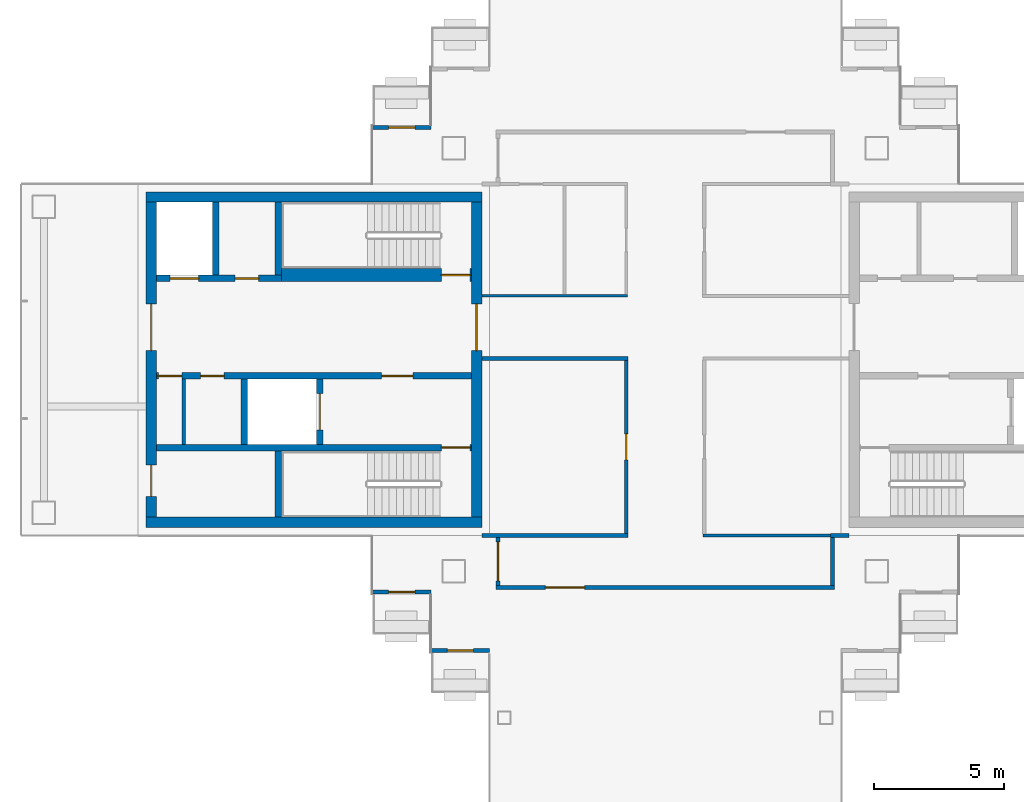
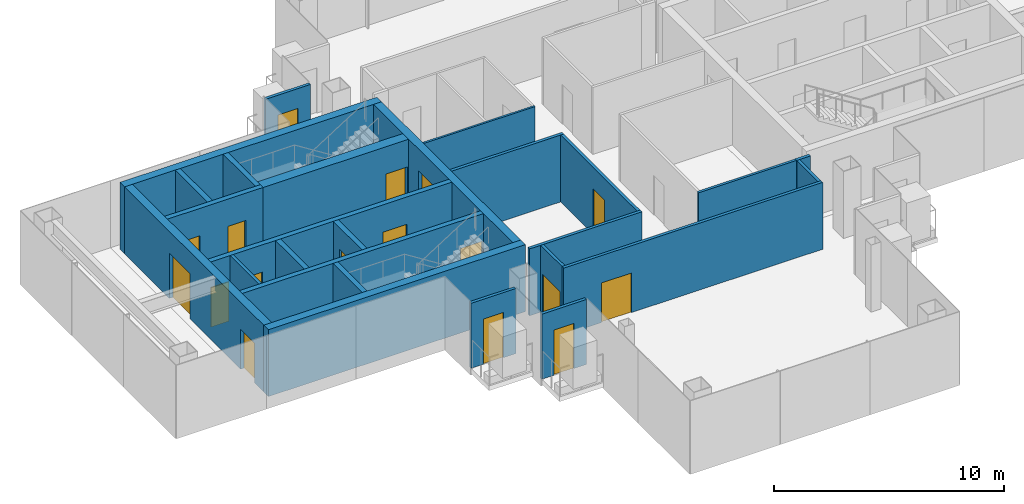
# One storey, part 9 of 17: 26 walls, 17 doors, 17 openings.
"""IFC4 building model written with IfcOpenShell, lengths in metres."""

from ifc_helpers import new_model, si_unit, direction, frame, frame_2d, origin, place, context, subcontext, project, spatial, rectangle, extrude, material, layer, layer_set, type_object, element, fill, save


model = new_model("IFC4")

# Units and contexts
model_context = context("Model", 3, precision=1e-05, world=origin(), true_north=direction((0.0, 1.0)))
body_context = subcontext(model_context, "Body", "Model", "MODEL_VIEW")
ifc_project = project(units=[si_unit("LENGTHUNIT", "METRE"), si_unit("AREAUNIT", "SQUARE_METRE"), si_unit("VOLUMEUNIT", "CUBIC_METRE"), si_unit("PLANEANGLEUNIT", "RADIAN"), si_unit("MASSUNIT", "GRAM", prefix="KILO")], contexts=[model_context])

# Site, building, storey
site_placement = place(None, origin())
site = spatial("IfcSite", under=ifc_project, at=site_placement, CompositionType="ELEMENT")
building_placement = place(site_placement, origin())
building = spatial("IfcBuilding", under=site, at=building_placement, Name="Shamsa Quay Exchange Towers", CompositionType="ELEMENT")
storey_placement = place(building_placement, frame((0.0, 0.0, 249.89990234375)))
storey = spatial("IfcBuildingStorey", under=building, at=storey_placement, Name="L60", CompositionType="ELEMENT", Elevation=249.89990234375)

# Wall, opening, door
ifc_material_1 = material(Name="Aluminium EN AW-6063 T6, black anodised, with black enamelled glass infill", Category="aluminium")
ifc_layer_1 = layer(ifc_material_1, 0.14990234375)
ifc_layer_set_1 = layer_set([ifc_layer_1], Name="BALCONY DOOR BAY WALL 150")
wall_type_1 = type_object("IfcWallType", Name="BALCONY DOOR BAY WALL 150", PredefinedType="SOLIDWALL", material=ifc_layer_set_1)
wall_1_placement = place(storey_placement, frame((-45.0, 8.925048828125, 0.0)))
wall_1 = element("IfcWall", 1, at=wall_1_placement, inside=storey, type_object=wall_type_1, Name="Door bay T1-PKWN L60", PredefinedType="SOLIDWALL", context=body_context, shape_type="SweptSolid", body=[
    extrude(rectangle(XDim=2.25, YDim=0.14990234375, at=frame_2d((1.125, 0.0))), origin(), (0.0, 0.0, 1.0), 3.4501953125),
])
opening_1_placement = place(wall_1_placement, frame((0.625, 0.0, 0.0)))
opening_1 = element("IfcOpeningElement", 2, at=opening_1_placement, cuts=wall_1, Name="Opening XD406", PredefinedType="OPENING", context=body_context, shape_type="SweptSolid", body=[
    extrude(rectangle(XDim=1.0, YDim=2.39990234375, at=frame_2d((0.5, 1.199951171875))), frame((0.0, 0.0849609375, 0.0), z_axis=(0.0, -1.0, 0.0), x_axis=(1.0, 0.0, 0.0)), (0.0, 0.0, 1.0), 0.169921875),
])
ifc_material_2 = material(Name="Aluminium EN AW-6063 T6, black anodised, with laminated glass leaf", Category="aluminium")
door_type_1 = type_object("IfcDoorType", Name="BALCONY DOOR 1000x2400", OperationType="SINGLE_SWING_LEFT", PredefinedType="DOOR", material=ifc_material_2)
door_1_placement = place(opening_1_placement, origin())
door_1 = element("IfcDoor", 3, at=door_1_placement, inside=storey, type_object=door_type_1, Name="Balcony door T1-PKWN L60", OperationType="SINGLE_SWING_RIGHT", OverallHeight=2.39990234375, OverallWidth=1.0, PredefinedType="DOOR", context=body_context, shape_type="SweptSolid", body=[
    extrude(rectangle(XDim=1.0, YDim=2.39990234375, at=frame_2d((0.5, 1.199951171875))), frame((0.0, 0.02490234375, 0.0), z_axis=(0.0, -1.0, 0.0), x_axis=(1.0, 0.0, 0.0)), (0.0, 0.0, 1.0), 0.050048828125),
])
fill(opening_1, door_1)

wall_2_placement = place(storey_placement, frame((-42.75, -8.925048828125, 0.0), z_axis=(0.0, 0.0, 1.0), x_axis=(-1.0, 0.0, 0.0)))
wall_2 = element("IfcWall", 4, at=wall_2_placement, inside=storey, type_object=wall_type_1, Name="Door bay T1-PKWS L60", PredefinedType="SOLIDWALL", context=body_context, shape_type="SweptSolid", body=[
    extrude(rectangle(XDim=2.25, YDim=0.14990234375, at=frame_2d((1.125, 0.0))), origin(), (0.0, 0.0, 1.0), 3.4501953125),
])
opening_2_placement = place(wall_2_placement, frame((0.625, 0.0, 0.0)))
opening_2 = element("IfcOpeningElement", 5, at=opening_2_placement, cuts=wall_2, Name="Opening XD407", PredefinedType="OPENING", context=body_context, shape_type="SweptSolid", body=[
    extrude(rectangle(XDim=1.0, YDim=2.39990234375, at=frame_2d((0.5, 1.199951171875))), frame((0.0, 0.0849609375, 0.0), z_axis=(0.0, -1.0, 0.0), x_axis=(1.0, 0.0, 0.0)), (0.0, 0.0, 1.0), 0.169921875),
])
door_2_placement = place(opening_2_placement, origin())
door_2 = element("IfcDoor", 6, at=door_2_placement, inside=storey, type_object=door_type_1, Name="Balcony door T1-PKWS L60", OperationType="SINGLE_SWING_LEFT", OverallHeight=2.39990234375, OverallWidth=1.0, PredefinedType="DOOR", context=body_context, shape_type="SweptSolid", body=[
    extrude(rectangle(XDim=1.0, YDim=2.39990234375, at=frame_2d((0.5, 1.199951171875))), frame((0.0, 0.02490234375, 0.0), z_axis=(0.0, -1.0, 0.0), x_axis=(1.0, 0.0, 0.0)), (0.0, 0.0, 1.0), 0.050048828125),
])
fill(opening_2, door_2)

wall_3_placement = place(storey_placement, frame((-40.5, -11.175048828125, 0.0), z_axis=(0.0, 0.0, 1.0), x_axis=(-1.0, 0.0, 0.0)))
wall_3 = element("IfcWall", 7, at=wall_3_placement, inside=storey, type_object=wall_type_1, Name="Door bay T1-PKWS L60", PredefinedType="SOLIDWALL", context=body_context, shape_type="SweptSolid", body=[
    extrude(rectangle(XDim=2.25, YDim=0.14990234375, at=frame_2d((1.125, 0.0))), origin(), (0.0, 0.0, 1.0), 3.4501953125),
])
opening_3_placement = place(wall_3_placement, frame((0.625, 0.0, 0.0)))
opening_3 = element("IfcOpeningElement", 8, at=opening_3_placement, cuts=wall_3, Name="Opening XD408", PredefinedType="OPENING", context=body_context, shape_type="SweptSolid", body=[
    extrude(rectangle(XDim=1.0, YDim=2.39990234375, at=frame_2d((0.5, 1.199951171875))), frame((0.0, 0.0849609375, 0.0), z_axis=(0.0, -1.0, 0.0), x_axis=(1.0, 0.0, 0.0)), (0.0, 0.0, 1.0), 0.169921875),
])
door_3_placement = place(opening_3_placement, origin())
door_3 = element("IfcDoor", 9, at=door_3_placement, inside=storey, type_object=door_type_1, Name="Balcony door T1-PKWS L60", OperationType="SINGLE_SWING_RIGHT", OverallHeight=2.39990234375, OverallWidth=1.0, PredefinedType="DOOR", context=body_context, shape_type="SweptSolid", body=[
    extrude(rectangle(XDim=1.0, YDim=2.39990234375, at=frame_2d((0.5, 1.199951171875))), frame((0.0, 0.02490234375, 0.0), z_axis=(0.0, -1.0, 0.0), x_axis=(1.0, 0.0, 0.0)), (0.0, 0.0, 1.0), 0.050048828125),
])
fill(opening_3, door_3)

# Walls
ifc_material_3 = material(Name="Concrete C60/75", Category="concrete")
ifc_layer_2 = layer(ifc_material_3, 0.39990234375)
ifc_layer_set_2 = layer_set([ifc_layer_2], Name="CORE WALL 400 C60/75")
wall_type_2 = type_object("IfcWallType", Name="CORE WALL 400 C60/75", PredefinedType="SHEAR", material=ifc_layer_set_2)
for number, where, z_axis, x_axis, name in (
    (10, (-40.800048828125, -6.25, 0.0), (0.0, 0.0, 1.0), (-1.0, 0.0, 0.0), "Core wall T1B-R27-PS"),
    (11, (-40.800048828125, 6.25, 0.0), (0.0, 0.0, 1.0), (-1.0, 0.0, 0.0), "Core wall T1B-R27-PN"),
):
    element("IfcWall", number, at=place(storey_placement, frame(where, z_axis=z_axis, x_axis=x_axis)), inside=storey, type_object=wall_type_2, Name=name, PredefinedType="SHEAR", context=body_context, shape_type="SweptSolid", body=[
        extrude(rectangle(XDim=12.89990234375, YDim=0.39990234375, at=frame_2d((6.449951171875, 0.0))), origin(), (0.0, 0.0, 1.0), 3.550048828125),
    ])

# Wall, opening, door
wall_4_placement = place(storey_placement, frame((-41.0, -6.050048828125, 0.0), z_axis=(0.0, 0.0, 1.0), x_axis=(0.0, 1.0, 0.0)))
wall_4 = element("IfcWall", 12, at=wall_4_placement, inside=storey, type_object=wall_type_2, Name="Core wall T1B-R27-PF", PredefinedType="SHEAR", context=body_context, shape_type="SweptSolid", body=[
    extrude(rectangle(XDim=12.10009765625, YDim=0.39990234375, at=frame_2d((6.050048828125, 0.0))), origin(), (0.0, 0.0, 1.0), 3.550048828125),
])
opening_4_placement = place(wall_4_placement, frame((6.39990234375, 0.0, 0.0)))
opening_4 = element("IfcOpeningElement", 13, at=opening_4_placement, cuts=wall_4, Name="Opening T1B-R27-LBD01", PredefinedType="OPENING", context=body_context, shape_type="SweptSolid", body=[
    extrude(rectangle(XDim=1.800048828125, YDim=2.39990234375, at=frame_2d((0.89990234375, 1.199951171875))), frame((0.0, 0.2099609375, 0.0), z_axis=(0.0, -1.0, 0.0), x_axis=(1.0, 0.0, 0.0)), (0.0, 0.0, 1.0), 0.419921875),
])
ifc_material_4 = material(Name="Steel, fire rated", Category="steel")
door_type_2 = type_object("IfcDoorType", Name="LIFT LOBBY DOOR PAIR 1800", OperationType="DOUBLE_DOOR_SINGLE_SWING", PredefinedType="DOOR", material=ifc_material_4)
door_4_placement = place(opening_4_placement, origin())
door_4 = element("IfcDoor", 14, at=door_4_placement, inside=storey, type_object=door_type_2, Name="T1B-R27-LBD01", OperationType="DOUBLE_DOOR_SINGLE_SWING", OverallHeight=2.39990234375, OverallWidth=1.800048828125, PredefinedType="DOOR", context=body_context, shape_type="SweptSolid", body=[
    extrude(rectangle(XDim=1.800048828125, YDim=2.39990234375, at=frame_2d((0.89990234375, 1.199951171875))), frame((0.0, 0.02490234375, 0.0), z_axis=(0.0, -1.0, 0.0), x_axis=(1.0, 0.0, 0.0)), (0.0, 0.0, 1.0), 0.050048828125),
])
fill(opening_4, door_4)

# Wall, openings, doors
wall_5_placement = place(storey_placement, frame((-53.5, -6.050048828125, 0.0), z_axis=(0.0, 0.0, 1.0), x_axis=(0.0, 1.0, 0.0)))
wall_5 = element("IfcWall", 15, at=wall_5_placement, inside=storey, type_object=wall_type_2, Name="Core wall T1B-R27-PB", PredefinedType="SHEAR", context=body_context, shape_type="SweptSolid", body=[
    extrude(rectangle(XDim=12.10009765625, YDim=0.39990234375, at=frame_2d((6.050048828125, 0.0))), origin(), (0.0, 0.0, 1.0), 3.550048828125),
])
opening_5_placement = place(wall_5_placement, frame((0.800048828125, 0.0, 0.0)))
opening_5 = element("IfcOpeningElement", 16, at=opening_5_placement, cuts=wall_5, Name="Opening T1B-R27-RD02", PredefinedType="OPENING", context=body_context, shape_type="SweptSolid", body=[
    extrude(rectangle(XDim=1.199951171875, YDim=2.10009765625, at=frame_2d((0.60009765625, 1.050048828125))), frame((0.0, 0.2099609375, 0.0), z_axis=(0.0, -1.0, 0.0), x_axis=(1.0, 0.0, 0.0)), (0.0, 0.0, 1.0), 0.419921875),
])
opening_6_placement = place(wall_5_placement, frame((6.39990234375, 0.0, 0.0)))
opening_6 = element("IfcOpeningElement", 17, at=opening_6_placement, cuts=wall_5, Name="Opening T1B-R27-LBD03", PredefinedType="OPENING", context=body_context, shape_type="SweptSolid", body=[
    extrude(rectangle(XDim=1.800048828125, YDim=2.39990234375, at=frame_2d((0.89990234375, 1.199951171875))), frame((0.0, 0.2099609375, 0.0), z_axis=(0.0, -1.0, 0.0), x_axis=(1.0, 0.0, 0.0)), (0.0, 0.0, 1.0), 0.419921875),
])
door_5_placement = place(opening_6_placement, origin())
door_5 = element("IfcDoor", 18, at=door_5_placement, inside=storey, type_object=door_type_2, Name="T1B-R27-LBD03", OperationType="DOUBLE_DOOR_SINGLE_SWING", OverallHeight=2.39990234375, OverallWidth=1.800048828125, PredefinedType="DOOR", context=body_context, shape_type="SweptSolid", body=[
    extrude(rectangle(XDim=1.800048828125, YDim=2.39990234375, at=frame_2d((0.89990234375, 1.199951171875))), frame((0.0, 0.02490234375, 0.0), z_axis=(0.0, -1.0, 0.0), x_axis=(1.0, 0.0, 0.0)), (0.0, 0.0, 1.0), 0.050048828125),
])
fill(opening_6, door_5)
door_type_3 = type_object("IfcDoorType", Name="RISER ACCESS DOOR 1200", OperationType="SINGLE_SWING_LEFT", PredefinedType="DOOR", material=ifc_material_4)
door_6_placement = place(opening_5_placement, origin())
door_6 = element("IfcDoor", 19, at=door_6_placement, inside=storey, type_object=door_type_3, Name="T1B-R27-RD02", OperationType="SINGLE_SWING_LEFT", OverallHeight=2.10009765625, OverallWidth=1.199951171875, PredefinedType="DOOR", context=body_context, shape_type="SweptSolid", body=[
    extrude(rectangle(XDim=1.199951171875, YDim=2.10009765625, at=frame_2d((0.60009765625, 1.050048828125))), frame((0.0, 0.02490234375, 0.0), z_axis=(0.0, -1.0, 0.0), x_axis=(1.0, 0.0, 0.0)), (0.0, 0.0, 1.0), 0.050048828125),
])
fill(opening_5, door_6)

# Walls
ifc_material_5 = material(Name="Gypsum board on steel studs, EI 60", Category="steel")
ifc_layer_3 = layer(ifc_material_5, 0.14990234375)
ifc_layer_set_3 = layer_set([ifc_layer_3], Name="FIRE PARTITION 150")
wall_type_3 = type_object("IfcWallType", Name="FIRE PARTITION 150", PredefinedType="PARTITIONING", material=ifc_layer_set_3)
wall_6_placement = place(storey_placement, frame((-52.25, -3.25, 0.0), z_axis=(0.0, 0.0, 1.0), x_axis=(0.0, 1.0, 0.0)))
element("IfcWall", 20, at=wall_6_placement, inside=storey, type_object=wall_type_3, Name="Partition T1B-R27-EC0", PredefinedType="PARTITIONING", context=body_context, shape_type="SweptSolid", body=[
    extrude(rectangle(XDim=2.5, YDim=0.14990234375, at=frame_2d((1.25, 0.0))), origin(), (0.0, 0.0, 1.0), 3.550048828125),
])
ifc_material_6 = material(Name="Laminated fire-resisting glass in a metal frame", Category="glass")
ifc_layer_4 = layer(ifc_material_6, 0.125)
ifc_layer_set_4 = layer_set([ifc_layer_4], Name="Glazed partition 125 mm EI 60")
wall_type_4 = type_object("IfcWallType", Name="Glazed partition 125 mm EI 60", PredefinedType="PARTITIONING", material=ifc_layer_set_4)
wall_7_placement = place(storey_placement, frame((-32.3125, -6.75, 0.0)))
element("IfcWall", 21, at=wall_7_placement, inside=storey, type_object=wall_type_4, Name="Partition T1-R27-W06", PredefinedType="PARTITIONING", context=body_context, shape_type="SweptSolid", body=[
    extrude(rectangle(XDim=5.062255859375, YDim=0.125, at=frame_2d((2.53125, 0.0))), origin(), (0.0, 0.0, 1.0), 3.550048828125),
])
ifc_material_7 = material(Name="Gypsum board partition on metal studs")
ifc_layer_5 = layer(ifc_material_7, 0.10009765625)
ifc_layer_set_5 = layer_set([ifc_layer_5], Name="Partition 100 mm NOT RATED")
wall_type_5 = type_object("IfcWallType", Name="Partition 100 mm NOT RATED", PredefinedType="PARTITIONING", material=ifc_layer_set_5)
wall_8_placement = place(storey_placement, frame((-40.800048828125, 2.4501953125, 0.0)))
element("IfcWall", 22, at=wall_8_placement, inside=storey, type_object=wall_type_5, Name="Partition T1-R27-W07", PredefinedType="PARTITIONING", context=body_context, shape_type="SweptSolid", body=[
    extrude(rectangle(XDim=5.60009765625, YDim=0.10009765625, at=frame_2d((2.800048828125, 0.0))), origin(), (0.0, 0.0, 1.0), 3.550048828125),
])
ifc_layer_6 = layer(ifc_material_7, 0.14990234375)
ifc_layer_set_6 = layer_set([ifc_layer_6], Name="Partition 150 mm EI 60")
wall_type_6 = type_object("IfcWallType", Name="Partition 150 mm EI 60", PredefinedType="PARTITIONING", material=ifc_layer_set_6)
wall_9_placement = place(storey_placement, frame((-40.800048828125, -6.75, 0.0)))
element("IfcWall", 23, at=wall_9_placement, inside=storey, type_object=wall_type_6, Name="Partition T1-R27-W10", PredefinedType="PARTITIONING", context=body_context, shape_type="SweptSolid", body=[
    extrude(rectangle(XDim=5.625, YDim=0.14990234375, at=frame_2d((2.8125, 0.0))), origin(), (0.0, 0.0, 1.0), 3.550048828125),
])
wall_10_placement = place(storey_placement, frame((-27.400146484375, -6.75, 0.0)))
element("IfcWall", 24, at=wall_10_placement, inside=storey, type_object=wall_type_6, Name="Partition T1-R27-W11", PredefinedType="PARTITIONING", context=body_context, shape_type="SweptSolid", body=[
    extrude(rectangle(XDim=0.7001953125, YDim=0.14990234375, at=frame_2d((0.35009765625, 0.0))), origin(), (0.0, 0.0, 1.0), 3.550048828125),
])

# Wall, opening, door
wall_11_placement = place(storey_placement, frame((-35.25, -6.675048828125, 0.0), z_axis=(0.0, 0.0, 1.0), x_axis=(0.0, 1.0, 0.0)))
wall_11 = element("IfcWall", 25, at=wall_11_placement, inside=storey, type_object=wall_type_6, Name="Partition T1-R27-W12", PredefinedType="PARTITIONING", context=body_context, shape_type="SweptSolid", body=[
    extrude(rectangle(XDim=6.64990234375, YDim=0.14990234375, at=frame_2d((3.324951171875, 0.0))), origin(), (0.0, 0.0, 1.0), 3.550048828125),
])
opening_7_placement = place(wall_11_placement, frame((2.824951171875, 0.0, 0.0)))
opening_7 = element("IfcOpeningElement", 26, at=opening_7_placement, cuts=wall_11, Name="Opening T1-R27-D04", PredefinedType="OPENING", context=body_context, shape_type="SweptSolid", body=[
    extrude(rectangle(XDim=1.0, YDim=2.39990234375, at=frame_2d((0.5, 1.199951171875))), frame((0.0, 0.0849609375, 0.0), z_axis=(0.0, -1.0, 0.0), x_axis=(1.0, 0.0, 0.0)), (0.0, 0.0, 1.0), 0.169921875),
])
ifc_material_8 = material(Name="Timber door leaf in a metal frame", Category="wood")
door_type_4 = type_object("IfcDoorType", Name="Door 1000x2400 FD30S", OperationType="NOTDEFINED", PredefinedType="DOOR", material=ifc_material_8)
door_7_placement = place(opening_7_placement, origin())
door_7 = element("IfcDoor", 27, at=door_7_placement, inside=storey, type_object=door_type_4, Name="Door T1-R27-D04", OperationType="SINGLE_SWING_LEFT", OverallHeight=2.39990234375, OverallWidth=1.0, PredefinedType="DOOR", context=body_context, shape_type="SweptSolid", body=[
    extrude(rectangle(XDim=1.0, YDim=2.39990234375, at=frame_2d((0.5, 1.199951171875))), frame((0.0, 0.02490234375, 0.0), z_axis=(0.0, -1.0, 0.0), x_axis=(1.0, 0.0, 0.0)), (0.0, 0.0, 1.0), 0.050048828125),
])
fill(opening_7, door_7)

# Wall
wall_12_placement = place(storey_placement, frame((-35.175048828125, 0.0498046875, 0.0), z_axis=(0.0, 0.0, 1.0), x_axis=(-1.0, 0.0, 0.0)))
element("IfcWall", 28, at=wall_12_placement, inside=storey, type_object=wall_type_6, Name="Partition T1-R27-W13", PredefinedType="PARTITIONING", context=body_context, shape_type="SweptSolid", body=[
    extrude(rectangle(XDim=5.625, YDim=0.14990234375, at=frame_2d((2.8125, 0.0))), origin(), (0.0, 0.0, 1.0), 3.550048828125),
])

# Wall, opening, door
wall_13_placement = place(storey_placement, frame((-40.1748046875, -6.824951171875, 0.0), z_axis=(0.0, 0.0, 1.0), x_axis=(0.0, -1.0, 0.0)))
wall_13 = element("IfcWall", 29, at=wall_13_placement, inside=storey, type_object=wall_type_6, Name="Partition T1-R27-W15", PredefinedType="PARTITIONING", context=body_context, shape_type="SweptSolid", body=[
    extrude(rectangle(XDim=1.85009765625, YDim=0.14990234375, at=frame_2d((0.925048828125, 0.0))), origin(), (0.0, 0.0, 1.0), 3.550048828125),
])
opening_8_placement = place(wall_13_placement, frame((0.175048828125, 0.0, 0.0)))
opening_8 = element("IfcOpeningElement", 30, at=opening_8_placement, cuts=wall_13, Name="Opening T1-R27-D02", PredefinedType="OPENING", context=body_context, shape_type="SweptSolid", body=[
    extrude(rectangle(XDim=1.5, YDim=2.10009765625, at=frame_2d((0.75, 1.050048828125))), frame((0.0, 0.0849609375, 0.0), z_axis=(0.0, -1.0, 0.0), x_axis=(1.0, 0.0, 0.0)), (0.0, 0.0, 1.0), 0.169921875),
])
door_type_5 = type_object("IfcDoorType", Name="Door 1500x2100 FD30S pair", OperationType="NOTDEFINED", PredefinedType="DOOR", material=ifc_material_8)
door_8_placement = place(opening_8_placement, origin())
door_8 = element("IfcDoor", 31, at=door_8_placement, inside=storey, type_object=door_type_5, Name="Door T1-R27-D02", OperationType="DOUBLE_DOOR_SINGLE_SWING", OverallHeight=2.10009765625, OverallWidth=1.5, PredefinedType="DOOR", context=body_context, shape_type="SweptSolid", body=[
    extrude(rectangle(XDim=1.5, YDim=2.10009765625, at=frame_2d((0.75, 1.050048828125))), frame((0.0, 0.02490234375, 0.0), z_axis=(0.0, -1.0, 0.0), x_axis=(1.0, 0.0, 0.0)), (0.0, 0.0, 1.0), 0.050048828125),
])
fill(opening_8, door_8)

# Wall
wall_14_placement = place(storey_placement, frame((-27.3251953125, -8.675048828125, 0.0), z_axis=(0.0, 0.0, 1.0), x_axis=(0.0, 1.0, 0.0)))
element("IfcWall", 32, at=wall_14_placement, inside=storey, type_object=wall_type_6, Name="Partition T1-R27-W17", PredefinedType="PARTITIONING", context=body_context, shape_type="SweptSolid", body=[
    extrude(rectangle(XDim=1.85009765625, YDim=0.14990234375, at=frame_2d((0.925048828125, 0.0))), origin(), (0.0, 0.0, 1.0), 3.550048828125),
])

# Wall, opening, door
wall_15_placement = place(storey_placement, frame((-40.249755859375, -8.75, 0.0)))
wall_15 = element("IfcWall", 33, at=wall_15_placement, inside=storey, type_object=wall_type_6, Name="Partition T1-R27-W19", PredefinedType="PARTITIONING", context=body_context, shape_type="SweptSolid", body=[
    extrude(rectangle(XDim=12.99951171875, YDim=0.14990234375, at=frame_2d((6.499755859375, 0.0))), origin(), (0.0, 0.0, 1.0), 3.550048828125),
])
opening_9_placement = place(wall_15_placement, frame((1.89501953125, 0.0, 0.0)))
opening_9 = element("IfcOpeningElement", 34, at=opening_9_placement, cuts=wall_15, Name="Opening T1-R27-D01", PredefinedType="OPENING", context=body_context, shape_type="SweptSolid", body=[
    extrude(rectangle(XDim=1.5, YDim=2.10009765625, at=frame_2d((0.75, 1.050048828125))), frame((0.0, 0.0849609375, 0.0), z_axis=(0.0, -1.0, 0.0), x_axis=(1.0, 0.0, 0.0)), (0.0, 0.0, 1.0), 0.169921875),
])
door_9_placement = place(opening_9_placement, origin())
door_9 = element("IfcDoor", 35, at=door_9_placement, inside=storey, type_object=door_type_5, Name="Door T1-R27-D01", OperationType="DOUBLE_DOOR_SINGLE_SWING", OverallHeight=2.10009765625, OverallWidth=1.5, PredefinedType="DOOR", context=body_context, shape_type="SweptSolid", body=[
    extrude(rectangle(XDim=1.5, YDim=2.10009765625, at=frame_2d((0.75, 1.050048828125))), frame((0.0, 0.02490234375, 0.0), z_axis=(0.0, -1.0, 0.0), x_axis=(1.0, 0.0, 0.0)), (0.0, 0.0, 1.0), 0.050048828125),
])
fill(opening_9, door_9)

ifc_material_9 = material(Name="Concrete C50/60", Category="concrete")
ifc_layer_7 = layer(ifc_material_9, 0.25)
ifc_layer_set_7 = layer_set([ifc_layer_7], Name="SHAFT WALL 250 C50/60")
wall_type_7 = type_object("IfcWallType", Name="SHAFT WALL 250 C50/60", PredefinedType="SHEAR", material=ifc_layer_set_7)
wall_16_placement = place(storey_placement, frame((-41.199951171875, -3.375, 0.0), z_axis=(0.0, 0.0, 1.0), x_axis=(-1.0, 0.0, 0.0)))
wall_16 = element("IfcWall", 36, at=wall_16_placement, inside=storey, type_object=wall_type_7, Name="Shaft wall T1B-R27-STL", PredefinedType="SHEAR", context=body_context, shape_type="SweptSolid", body=[
    extrude(rectangle(XDim=12.10009765625, YDim=0.25, at=frame_2d((6.050048828125, 0.0))), origin(), (0.0, 0.0, 1.0), 3.550048828125),
])
opening_10_placement = place(wall_16_placement, frame((0.050048828125, 0.0, 0.0)))
opening_10 = element("IfcOpeningElement", 37, at=opening_10_placement, cuts=wall_16, Name="Opening T1B-R27-SD04", PredefinedType="OPENING", context=body_context, shape_type="SweptSolid", body=[
    extrude(rectangle(XDim=1.10009765625, YDim=2.10009765625, at=frame_2d((0.550048828125, 1.050048828125))), frame((0.0, 0.135009765625, 0.0), z_axis=(0.0, -1.0, 0.0), x_axis=(1.0, 0.0, 0.0)), (0.0, 0.0, 1.0), 0.27001953125),
])
door_type_6 = type_object("IfcDoorType", Name="STAIR DOOR 1100", OperationType="SINGLE_SWING_LEFT", PredefinedType="DOOR", material=ifc_material_4)
door_10_placement = place(opening_10_placement, origin())
door_10 = element("IfcDoor", 38, at=door_10_placement, inside=storey, type_object=door_type_6, Name="T1B-R27-SD04", OperationType="SINGLE_SWING_LEFT", OverallHeight=2.10009765625, OverallWidth=1.10009765625, PredefinedType="DOOR", context=body_context, shape_type="SweptSolid", body=[
    extrude(rectangle(XDim=1.10009765625, YDim=2.10009765625, at=frame_2d((0.550048828125, 1.050048828125))), frame((0.0, 0.02490234375, 0.0), z_axis=(0.0, -1.0, 0.0), x_axis=(1.0, 0.0, 0.0)), (0.0, 0.0, 1.0), 0.050048828125),
])
fill(opening_10, door_10)

# Wall
wall_17_placement = place(storey_placement, frame((-48.625, -6.050048828125, 0.0), z_axis=(0.0, 0.0, 1.0), x_axis=(0.0, 1.0, 0.0)))
element("IfcWall", 39, at=wall_17_placement, inside=storey, type_object=wall_type_7, Name="Shaft wall T1B-R27-STF", PredefinedType="SHEAR", context=body_context, shape_type="SweptSolid", body=[
    extrude(rectangle(XDim=2.550048828125, YDim=0.25, at=frame_2d((1.27490234375, 0.0))), origin(), (0.0, 0.0, 1.0), 3.550048828125),
])

# Wall, openings, doors
wall_18_placement = place(storey_placement, frame((-41.199951171875, -0.625, 0.0), z_axis=(0.0, 0.0, 1.0), x_axis=(-1.0, 0.0, 0.0)))
wall_18 = element("IfcWall", 40, at=wall_18_placement, inside=storey, type_object=wall_type_7, Name="Shaft wall T1B-R27-B", PredefinedType="SHEAR", context=body_context, shape_type="SweptSolid", body=[
    extrude(rectangle(XDim=12.10009765625, YDim=0.25, at=frame_2d((6.050048828125, 0.0))), origin(), (0.0, 0.0, 1.0), 3.550048828125),
])
opening_11_placement = place(wall_18_placement, frame((2.25, 0.0, 0.0)))
opening_11 = element("IfcOpeningElement", 41, at=opening_11_placement, cuts=wall_18, Name="Opening T1B-R27-FD05", PredefinedType="OPENING", context=body_context, shape_type="SweptSolid", body=[
    extrude(rectangle(XDim=1.199951171875, YDim=2.10009765625, at=frame_2d((0.60009765625, 1.050048828125))), frame((0.0, 0.135009765625, 0.0), z_axis=(0.0, -1.0, 0.0), x_axis=(1.0, 0.0, 0.0)), (0.0, 0.0, 1.0), 0.27001953125),
])
opening_12_placement = place(wall_18_placement, frame((9.5, 0.0, 0.0)))
opening_12 = element("IfcOpeningElement", 42, at=opening_12_placement, cuts=wall_18, Name="Opening T1B-R27-SV06", PredefinedType="OPENING", context=body_context, shape_type="SweptSolid", body=[
    extrude(rectangle(XDim=0.89990234375, YDim=2.10009765625, at=frame_2d((0.449951171875, 1.050048828125))), frame((0.0, 0.135009765625, 0.0), z_axis=(0.0, -1.0, 0.0), x_axis=(1.0, 0.0, 0.0)), (0.0, 0.0, 1.0), 0.27001953125),
])
opening_13_placement = place(wall_18_placement, frame((11.125, 0.0, 0.0)))
opening_13 = element("IfcOpeningElement", 43, at=opening_13_placement, cuts=wall_18, Name="Opening T1B-R27-SV07", PredefinedType="OPENING", context=body_context, shape_type="SweptSolid", body=[
    extrude(rectangle(XDim=0.89990234375, YDim=2.10009765625, at=frame_2d((0.449951171875, 1.050048828125))), frame((0.0, 0.135009765625, 0.0), z_axis=(0.0, -1.0, 0.0), x_axis=(1.0, 0.0, 0.0)), (0.0, 0.0, 1.0), 0.27001953125),
])
door_type_7 = type_object("IfcDoorType", Name="FIRE SERVICE LOBBY DOOR 1200", OperationType="SINGLE_SWING_LEFT", PredefinedType="DOOR", material=ifc_material_4)
door_11_placement = place(opening_11_placement, origin())
door_11 = element("IfcDoor", 44, at=door_11_placement, inside=storey, type_object=door_type_7, Name="T1B-R27-FD05", OperationType="SINGLE_SWING_LEFT", OverallHeight=2.10009765625, OverallWidth=1.199951171875, PredefinedType="DOOR", context=body_context, shape_type="SweptSolid", body=[
    extrude(rectangle(XDim=1.199951171875, YDim=2.10009765625, at=frame_2d((0.60009765625, 1.050048828125))), frame((0.0, 0.02490234375, 0.0), z_axis=(0.0, -1.0, 0.0), x_axis=(1.0, 0.0, 0.0)), (0.0, 0.0, 1.0), 0.050048828125),
])
fill(opening_11, door_11)
door_type_8 = type_object("IfcDoorType", Name="SERVICE ROOM DOOR 900", OperationType="SINGLE_SWING_LEFT", PredefinedType="DOOR", material=ifc_material_4)
door_12_placement = place(opening_12_placement, origin())
door_12 = element("IfcDoor", 45, at=door_12_placement, inside=storey, type_object=door_type_8, Name="T1B-R27-SV06", OperationType="SINGLE_SWING_RIGHT", OverallHeight=2.10009765625, OverallWidth=0.89990234375, PredefinedType="DOOR", context=body_context, shape_type="SweptSolid", body=[
    extrude(rectangle(XDim=0.89990234375, YDim=2.10009765625, at=frame_2d((0.449951171875, 1.050048828125))), frame((0.0, 0.02490234375, 0.0), z_axis=(0.0, -1.0, 0.0), x_axis=(1.0, 0.0, 0.0)), (0.0, 0.0, 1.0), 0.050048828125),
])
fill(opening_12, door_12)
door_13_placement = place(opening_13_placement, origin())
door_13 = element("IfcDoor", 46, at=door_13_placement, inside=storey, type_object=door_type_8, Name="T1B-R27-SV07", OperationType="SINGLE_SWING_RIGHT", OverallHeight=2.10009765625, OverallWidth=0.89990234375, PredefinedType="DOOR", context=body_context, shape_type="SweptSolid", body=[
    extrude(rectangle(XDim=0.89990234375, YDim=2.10009765625, at=frame_2d((0.449951171875, 1.050048828125))), frame((0.0, 0.02490234375, 0.0), z_axis=(0.0, -1.0, 0.0), x_axis=(1.0, 0.0, 0.0)), (0.0, 0.0, 1.0), 0.050048828125),
])
fill(opening_13, door_13)

# Wall, opening, door
wall_19_placement = place(storey_placement, frame((-47.02490234375, -3.25, 0.0), z_axis=(0.0, 0.0, 1.0), x_axis=(0.0, 1.0, 0.0)))
wall_19 = element("IfcWall", 47, at=wall_19_placement, inside=storey, type_object=wall_type_7, Name="Shaft wall T1B-R27-FFF", PredefinedType="SHEAR", context=body_context, shape_type="SweptSolid", body=[
    extrude(rectangle(XDim=2.5, YDim=0.25, at=frame_2d((1.25, 0.0))), origin(), (0.0, 0.0, 1.0), 3.550048828125),
])
opening_14_placement = place(wall_19_placement, frame((0.550048828125, 0.0, 0.0)))
opening_14 = element("IfcOpeningElement", 48, at=opening_14_placement, cuts=wall_19, Name="Opening T1B-R27-LDG08", PredefinedType="OPENING", context=body_context, shape_type="SweptSolid", body=[
    extrude(rectangle(XDim=1.39990234375, YDim=2.39990234375, at=frame_2d((0.699951171875, 1.199951171875))), frame((0.0, 0.135009765625, 0.0), z_axis=(0.0, -1.0, 0.0), x_axis=(1.0, 0.0, 0.0)), (0.0, 0.0, 1.0), 0.27001953125),
])
door_type_9 = type_object("IfcDoorType", Name="GOODS LIFT LANDING DOOR 1400", OperationType="SLIDING_TO_LEFT", PredefinedType="DOOR", material=ifc_material_4)
door_14_placement = place(opening_14_placement, origin())
door_14 = element("IfcDoor", 49, at=door_14_placement, inside=storey, type_object=door_type_9, Name="T1B-R27-LDG08", OperationType="SLIDING_TO_LEFT", OverallHeight=2.39990234375, OverallWidth=1.39990234375, PredefinedType="DOOR", context=body_context, shape_type="SweptSolid", body=[
    extrude(rectangle(XDim=1.39990234375, YDim=2.39990234375, at=frame_2d((0.699951171875, 1.199951171875))), frame((0.0, 0.02490234375, 0.0), z_axis=(0.0, -1.0, 0.0), x_axis=(1.0, 0.0, 0.0)), (0.0, 0.0, 1.0), 0.050048828125),
])
fill(opening_14, door_14)

# Wall
wall_20_placement = place(storey_placement, frame((-49.925048828125, -3.25, 0.0), z_axis=(0.0, 0.0, 1.0), x_axis=(0.0, 1.0, 0.0)))
element("IfcWall", 50, at=wall_20_placement, inside=storey, type_object=wall_type_7, Name="Shaft wall T1B-R27-FFB", PredefinedType="SHEAR", context=body_context, shape_type="SweptSolid", body=[
    extrude(rectangle(XDim=2.5, YDim=0.25, at=frame_2d((1.25, 0.0))), origin(), (0.0, 0.0, 1.0), 3.550048828125),
])

# Wall, openings, doors
wall_21_placement = place(storey_placement, frame((-53.300048828125, 3.125, 0.0)))
wall_21 = element("IfcWall", 51, at=wall_21_placement, inside=storey, type_object=wall_type_7, Name="Shaft wall T1B-R27-N2", PredefinedType="SHEAR", context=body_context, shape_type="SweptSolid", body=[
    extrude(rectangle(XDim=4.800048828125, YDim=0.25, at=frame_2d((2.39990234375, 0.0))), origin(), (0.0, 0.0, 1.0), 3.550048828125),
])
opening_15_placement = place(wall_21_placement, frame((0.52490234375, 0.0, 0.0)))
opening_15 = element("IfcOpeningElement", 52, at=opening_15_placement, cuts=wall_21, Name="Opening T1B-R27-LD10", PredefinedType="OPENING", context=body_context, shape_type="SweptSolid", body=[
    extrude(rectangle(XDim=1.10009765625, YDim=2.10009765625, at=frame_2d((0.550048828125, 1.050048828125))), frame((0.0, 0.135009765625, 0.0), z_axis=(0.0, -1.0, 0.0), x_axis=(1.0, 0.0, 0.0)), (0.0, 0.0, 1.0), 0.27001953125),
])
opening_16_placement = place(wall_21_placement, frame((3.02490234375, 0.0, 0.0)))
opening_16 = element("IfcOpeningElement", 53, at=opening_16_placement, cuts=wall_21, Name="Opening T1B-R27-SV11", PredefinedType="OPENING", context=body_context, shape_type="SweptSolid", body=[
    extrude(rectangle(XDim=0.89990234375, YDim=2.10009765625, at=frame_2d((0.449951171875, 1.050048828125))), frame((0.0, 0.135009765625, 0.0), z_axis=(0.0, -1.0, 0.0), x_axis=(1.0, 0.0, 0.0)), (0.0, 0.0, 1.0), 0.27001953125),
])
door_type_10 = type_object("IfcDoorType", Name="LANDING DOOR 1100", OperationType="SLIDING_TO_LEFT", PredefinedType="DOOR", material=ifc_material_4)
door_15_placement = place(opening_15_placement, origin())
door_15 = element("IfcDoor", 54, at=door_15_placement, inside=storey, type_object=door_type_10, Name="T1B-R27-LD10", OperationType="SLIDING_TO_LEFT", OverallHeight=2.10009765625, OverallWidth=1.10009765625, PredefinedType="DOOR", context=body_context, shape_type="SweptSolid", body=[
    extrude(rectangle(XDim=1.10009765625, YDim=2.10009765625, at=frame_2d((0.550048828125, 1.050048828125))), frame((0.0, 0.02490234375, 0.0), z_axis=(0.0, -1.0, 0.0), x_axis=(1.0, 0.0, 0.0)), (0.0, 0.0, 1.0), 0.050048828125),
])
fill(opening_15, door_15)
door_16_placement = place(opening_16_placement, origin())
door_16 = element("IfcDoor", 55, at=door_16_placement, inside=storey, type_object=door_type_8, Name="T1B-R27-SV11", OperationType="SINGLE_SWING_RIGHT", OverallHeight=2.10009765625, OverallWidth=0.89990234375, PredefinedType="DOOR", context=body_context, shape_type="SweptSolid", body=[
    extrude(rectangle(XDim=0.89990234375, YDim=2.10009765625, at=frame_2d((0.449951171875, 1.050048828125))), frame((0.0, 0.02490234375, 0.0), z_axis=(0.0, -1.0, 0.0), x_axis=(1.0, 0.0, 0.0)), (0.0, 0.0, 1.0), 0.050048828125),
])
fill(opening_16, door_16)

# Walls
for number, where, z_axis, x_axis, name in (
    (56, (-48.625, 3.25, 0.0), (0.0, 0.0, 1.0), (0.0, 1.0, 0.0), "Shaft wall T1B-R27-STF2"),
    (57, (-51.02490234375, 3.25, 0.0), (0.0, 0.0, 1.0), (0.0, 1.0, 0.0), "Shaft wall T1B-R27-D0"),
):
    element("IfcWall", number, at=place(storey_placement, frame(where, z_axis=z_axis, x_axis=x_axis)), inside=storey, type_object=wall_type_7, Name=name, PredefinedType="SHEAR", context=body_context, shape_type="SweptSolid", body=[
        extrude(rectangle(XDim=2.800048828125, YDim=0.25, at=frame_2d((1.39990234375, 0.0))), origin(), (0.0, 0.0, 1.0), 3.550048828125),
    ])

# Wall, opening, door
ifc_layer_8 = layer(ifc_material_9, 0.5)
ifc_layer_set_8 = layer_set([ifc_layer_8], Name="SHAFT WALL 500 C50/60")
wall_type_8 = type_object("IfcWallType", Name="SHAFT WALL 500 C50/60", PredefinedType="SHEAR", material=ifc_layer_set_8)
wall_22_placement = place(storey_placement, frame((-48.5, 3.25, 0.0)))
wall_22 = element("IfcWall", 58, at=wall_22_placement, inside=storey, type_object=wall_type_8, Name="Shaft wall T1B-R27-N", PredefinedType="SHEAR", context=body_context, shape_type="SweptSolid", body=[
    extrude(rectangle(XDim=7.300048828125, YDim=0.5, at=frame_2d((3.64990234375, 0.0))), origin(), (0.0, 0.0, 1.0), 3.550048828125),
])
opening_17_placement = place(wall_22_placement, frame((6.14990234375, 0.0, 0.0)))
opening_17 = element("IfcOpeningElement", 59, at=opening_17_placement, cuts=wall_22, Name="Opening T1B-R27-SD09", PredefinedType="OPENING", context=body_context, shape_type="SweptSolid", body=[
    extrude(rectangle(XDim=1.10009765625, YDim=2.10009765625, at=frame_2d((0.550048828125, 1.050048828125))), frame((0.0, 0.260009765625, 0.0), z_axis=(0.0, -1.0, 0.0), x_axis=(1.0, 0.0, 0.0)), (0.0, 0.0, 1.0), 0.52001953125),
])
door_17_placement = place(opening_17_placement, origin())
door_17 = element("IfcDoor", 60, at=door_17_placement, inside=storey, type_object=door_type_6, Name="T1B-R27-SD09", OperationType="SINGLE_SWING_RIGHT", OverallHeight=2.10009765625, OverallWidth=1.10009765625, PredefinedType="DOOR", context=body_context, shape_type="SweptSolid", body=[
    extrude(rectangle(XDim=1.10009765625, YDim=2.10009765625, at=frame_2d((0.550048828125, 1.050048828125))), frame((0.0, 0.02490234375, 0.0), z_axis=(0.0, -1.0, 0.0), x_axis=(1.0, 0.0, 0.0)), (0.0, 0.0, 1.0), 0.050048828125),
])
fill(opening_17, door_17)

save(model, "model.ifc")
